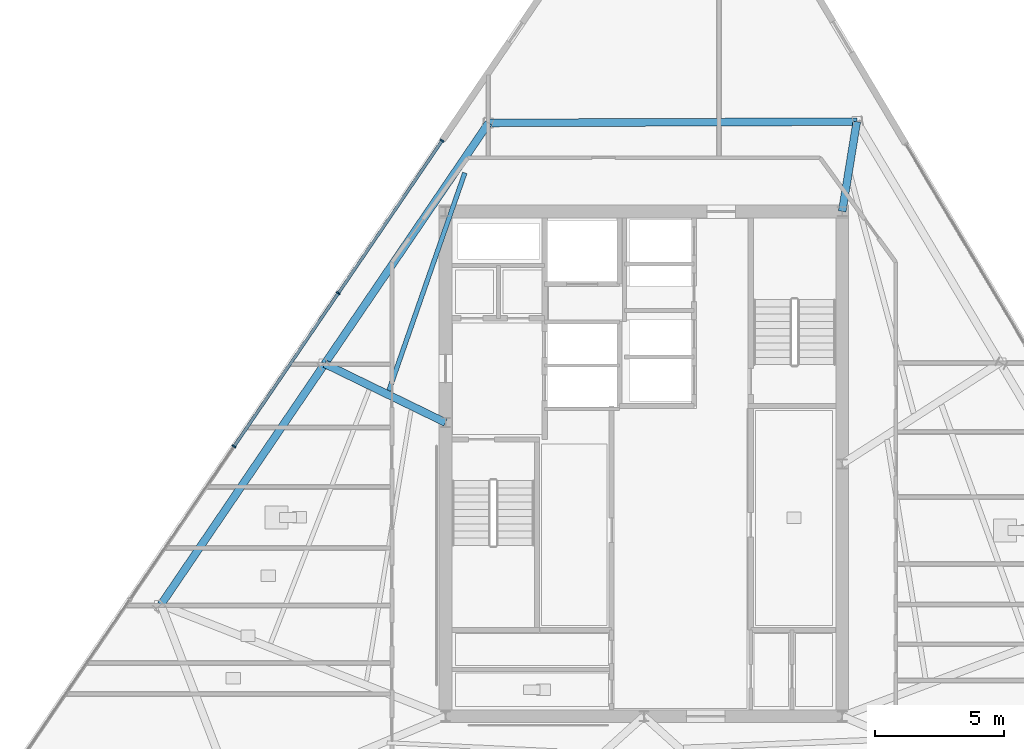
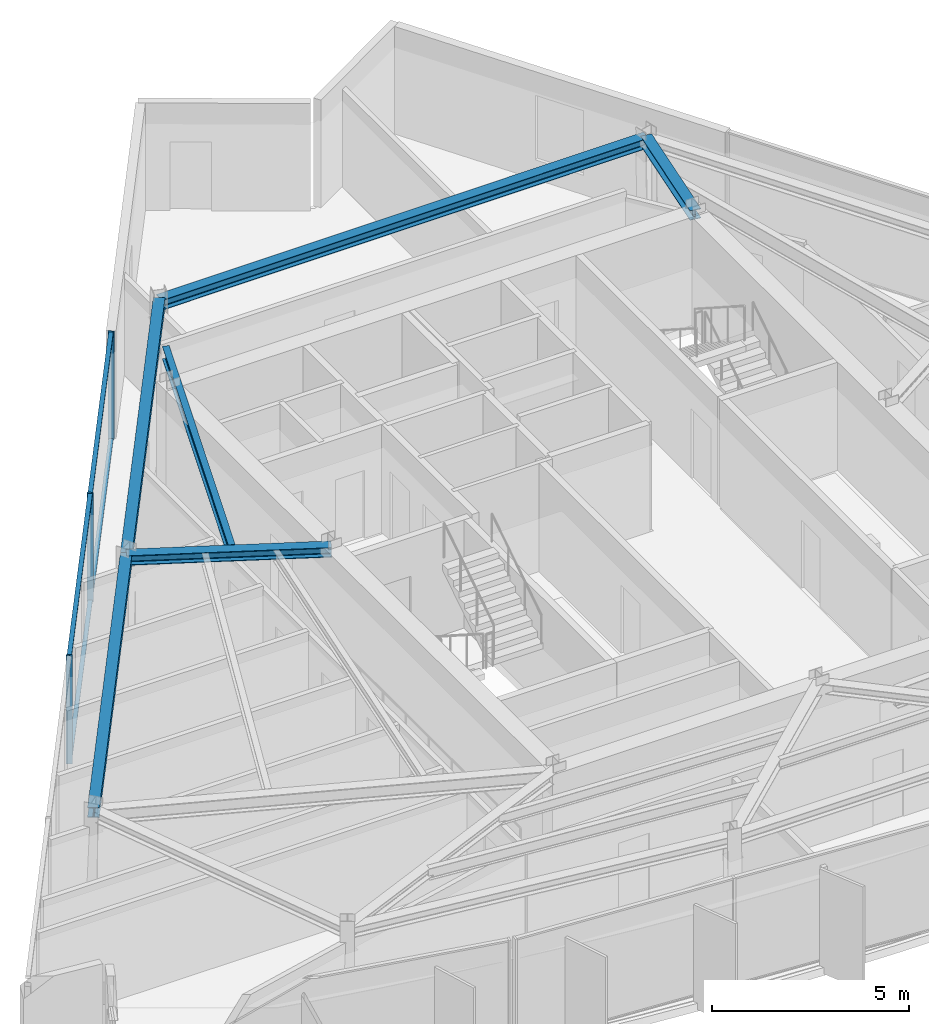
# One storey, part 4 of 13: 7 members, 6 beams, 1 element without a shape of its own.
"""IFC4 building model written with IfcOpenShell, lengths in metres."""

from ifc_helpers import new_model, si_unit, direction, frame, origin, origin_2d, place, context, subcontext, project, spatial, rectangle, i_section, extrude, material, material_profile, profile_set, type_object, element, aggregate, save


model = new_model("IFC4")

# Units and contexts
model_context = context("Model", 3, precision=1e-05, world=origin(), true_north=direction((0.0, 1.0)))
body_context = subcontext(model_context, "Body", "Model", "MODEL_VIEW")
ifc_project = project(units=[si_unit("LENGTHUNIT", "METRE"), si_unit("AREAUNIT", "SQUARE_METRE"), si_unit("VOLUMEUNIT", "CUBIC_METRE"), si_unit("PLANEANGLEUNIT", "RADIAN"), si_unit("MASSUNIT", "GRAM", prefix="KILO")], contexts=[model_context])

# Site, building, storey
site_placement = place(None, origin())
site = spatial("IfcSite", under=ifc_project, at=site_placement, CompositionType="ELEMENT")
building_placement = place(site_placement, origin())
building = spatial("IfcBuilding", under=site, at=building_placement, Name="Savorim Split Tower", CompositionType="ELEMENT")
storey_placement = place(building_placement, frame((0.0, 0.0, 254.39990234375)))
storey = spatial("IfcBuildingStorey", under=building, at=storey_placement, Name="L67", CompositionType="ELEMENT", Elevation=254.39990234375)

# Beams
ifc_material_1 = material(Name="Steel S355", Category="steel")
ifc_material_profile_1 = material_profile(ifc_material_1, i_section(OverallWidth=0.179931640625, OverallDepth=0.39990234375, WebThickness=0.008544921875, FlangeThickness=0.013427734375, FilletRadius=0.02099609375, at=origin_2d()), Name="IPE 400")
ifc_profile_set_1 = profile_set([ifc_material_profile_1], Name="Steel S355")
beam_type_1 = type_object("IfcBeamType", Name="BM-JST-IPE400", PredefinedType="JOIST", material=ifc_profile_set_1)
beam_1_placement = place(storey_placement, frame((-6.94970703125, 11.697021484375, 3.150146484375), z_axis=(-0.329381771472, -0.944196827267, 0.0), x_axis=(0.944196827267, -0.329381771472, 0.0)))
element("IfcBeam", 1, at=beam_1_placement, inside=storey, type_object=beam_type_1, Name="L67 Secondary Floor Joist JS-09", PredefinedType="JOIST", context=body_context, shape_type="SweptSolid", body=[
    extrude(i_section(OverallWidth=0.179931640625, OverallDepth=0.39990234375, WebThickness=0.008544921875, FlangeThickness=0.013427734375, FilletRadius=0.02099609375, at=origin_2d()), origin(), (0.0, 0.0, 1.0), 8.949462890625),
])
ifc_material_profile_2 = material_profile(ifc_material_1, i_section(OverallWidth=0.300048828125, OverallDepth=0.300048828125, WebThickness=0.010986328125, FlangeThickness=0.01904296875, FilletRadius=0.027099609375, at=origin_2d()), Name="HEB 300")
ifc_profile_set_2 = profile_set([ifc_material_profile_2], Name="Steel S355")
beam_type_2 = type_object("IfcBeamType", Name="BM-PRI-HEB300", PredefinedType="BEAM", material=ifc_profile_set_2)
beam_2_placement = place(storey_placement, frame((8.265380859375, 13.6826171875, 3.2001953125), z_axis=(-0.160257023486, -0.987075319529, 0.0), x_axis=(0.987075319529, -0.160257023486, 0.0)))
element("IfcBeam", 2, at=beam_2_placement, inside=storey, type_object=beam_type_2, Name="L67 Primary Floor Girder RG-07", PredefinedType="BEAM", context=body_context, shape_type="SweptSolid", body=[
    extrude(i_section(OverallWidth=0.300048828125, OverallDepth=0.300048828125, WebThickness=0.010986328125, FlangeThickness=0.01904296875, FilletRadius=0.027099609375, at=origin_2d()), origin(), (0.0, 0.0, 1.0), 3.5283203125),
])
beam_3_placement = place(storey_placement, frame((-12.387939453125, 4.283447265625, 3.2001953125), z_axis=(0.899023425806, -0.437900536484, 0.0), x_axis=(0.437900536484, 0.899023425806, 0.0)))
element("IfcBeam", 3, at=beam_3_placement, inside=storey, type_object=beam_type_2, Name="L67 Primary Floor Girder RG-09", PredefinedType="BEAM", context=body_context, shape_type="SweptSolid", body=[
    extrude(i_section(OverallWidth=0.300048828125, OverallDepth=0.300048828125, WebThickness=0.010986328125, FlangeThickness=0.01904296875, FilletRadius=0.027099609375, at=origin_2d()), origin(), (0.0, 0.0, 1.0), 5.214599609375),
])
ifc_material_profile_3 = material_profile(ifc_material_1, i_section(OverallWidth=0.300048828125, OverallDepth=0.31005859375, WebThickness=0.009033203125, FlangeThickness=0.015380859375, FilletRadius=0.027099609375, at=origin_2d()), Name="HEA 320")
ifc_profile_set_3 = profile_set([ifc_material_profile_3], Name="Steel S355")
beam_type_3 = type_object("IfcBeamType", Name="BM-SPN-HEA320", PredefinedType="SPANDREL", material=ifc_profile_set_3)
beam_4_placement = place(storey_placement, frame((8.265380859375, 13.6826171875, 3.195068359375), z_axis=(-0.999994164325, -0.003416330718, 0.0), x_axis=(0.003416330718, -0.999994164325, 0.0)))
element("IfcBeam", 4, at=beam_4_placement, inside=storey, type_object=beam_type_3, Name="L67 Perimeter Spandrel Beam 7", PredefinedType="SPANDREL", context=body_context, shape_type="SweptSolid", body=[
    extrude(i_section(OverallWidth=0.300048828125, OverallDepth=0.31005859375, WebThickness=0.009033203125, FlangeThickness=0.015380859375, FilletRadius=0.027099609375, at=origin_2d()), origin(), (0.0, 0.0, 1.0), 14.29248046875),
])
beam_5_placement = place(storey_placement, frame((-6.027099609375, 13.6337890625, 3.195068359375), z_axis=(-0.562467673623, -0.826819276583, 0.0), x_axis=(0.826819276583, -0.562467673623, 0.0)))
element("IfcBeam", 5, at=beam_5_placement, inside=storey, type_object=beam_type_3, Name="L67 Perimeter Spandrel Beam 8", PredefinedType="SPANDREL", context=body_context, shape_type="SweptSolid", body=[
    extrude(i_section(OverallWidth=0.300048828125, OverallDepth=0.31005859375, WebThickness=0.009033203125, FlangeThickness=0.015380859375, FilletRadius=0.027099609375, at=origin_2d()), origin(), (0.0, 0.0, 1.0), 11.308837890625),
])
beam_6_placement = place(storey_placement, frame((-12.387939453125, 4.283447265625, 3.195068359375), z_axis=(-0.5624723921, -0.826816066683, 0.0), x_axis=(0.826816066683, -0.5624723921, 0.0)))
element("IfcBeam", 6, at=beam_6_placement, inside=storey, type_object=beam_type_3, Name="L67 Perimeter Spandrel Beam 9", PredefinedType="SPANDREL", context=body_context, shape_type="SweptSolid", body=[
    extrude(i_section(OverallWidth=0.300048828125, OverallDepth=0.31005859375, WebThickness=0.009033203125, FlangeThickness=0.015380859375, FilletRadius=0.027099609375, at=origin_2d()), origin(), (0.0, 0.0, 1.0), 11.30908203125),
])

# Curtain wall, members
ifc_material_2 = material(Name="Dark Ceramic-Fritted Insulated Glass", Category="glass")
curtain_wall_type = type_object("IfcCurtainWallType", Name="CW-TWR-FRIT-B", PredefinedType="NOTDEFINED", material=ifc_material_2)
curtain_wall_placement = place(storey_placement, origin())
curtain_wall = element("IfcCurtainWall", 7, at=curtain_wall_placement, inside=storey, type_object=curtain_wall_type, Name="L67 Curtain Wall CW-L67-WEST", PredefinedType="NOTDEFINED")
ifc_material_3 = material(Name="Charcoal Anodised Aluminium", Category="aluminium")
ifc_material_profile_4 = material_profile(ifc_material_3, rectangle(XDim=0.159912109375, YDim=0.06005859375, at=origin_2d()), Name="ALU-M 160x60")
ifc_profile_set_4 = profile_set([ifc_material_profile_4], Name="Charcoal Anodised Aluminium")
member_type_1 = type_object("IfcMemberType", Name="CWM-160x60", PredefinedType="MULLION", material=ifc_profile_set_4)
member_1_placement = place(storey_placement, frame((-7.833740234375, 12.946044921875, 0.0), z_axis=(0.0, 0.0, 1.0), x_axis=(0.826817472755, -0.562470325215, 0.0)))
member_1 = element("IfcMember", 8, at=member_1_placement, type_object=member_type_1, Name="CW-03 mullion 1", PredefinedType="MULLION", context=body_context, shape_type="SweptSolid", body=[
    extrude(rectangle(XDim=0.159912109375, YDim=0.06005859375, at=origin_2d()), origin(), (0.0, 0.0, 1.0), 3.35009765625),
])
member_2_placement = place(storey_placement, frame((-11.86181640625, 7.02490234375, 0.0), z_axis=(0.0, 0.0, 1.0), x_axis=(0.826817472755, -0.562470325215, 0.0)))
member_2 = element("IfcMember", 9, at=member_2_placement, type_object=member_type_1, Name="CW-03 mullion 2", PredefinedType="MULLION", context=body_context, shape_type="SweptSolid", body=[
    extrude(rectangle(XDim=0.159912109375, YDim=0.06005859375, at=origin_2d()), origin(), (0.0, 0.0, 1.0), 3.35009765625),
])
member_3_placement = place(storey_placement, frame((-15.906982421875, 1.078857421875, 0.0), z_axis=(0.0, 0.0, 1.0), x_axis=(0.826817472755, -0.562470325215, 0.0)))
member_3 = element("IfcMember", 10, at=member_3_placement, type_object=member_type_1, Name="CW-03 mullion 3", PredefinedType="MULLION", context=body_context, shape_type="SweptSolid", body=[
    extrude(rectangle(XDim=0.159912109375, YDim=0.06005859375, at=origin_2d()), origin(), (0.0, 0.0, 1.0), 3.35009765625),
])
ifc_material_profile_5 = material_profile(ifc_material_3, rectangle(XDim=0.1201171875, YDim=0.050048828125, at=origin_2d()), Name="ALU-T 120x50")
ifc_profile_set_5 = profile_set([ifc_material_profile_5], Name="Charcoal Anodised Aluminium")
member_type_2 = type_object("IfcMemberType", Name="CWT-120x50", PredefinedType="USERDEFINED", material=ifc_profile_set_5)
member_4_placement = place(storey_placement, frame((-7.8505859375, 12.92138671875, 0.025146484375), z_axis=(-0.562458582496, -0.826825461011, 0.0), x_axis=(0.826825461011, -0.562458582496, 0.0)))
member_4 = element("IfcMember", 11, at=member_4_placement, type_object=member_type_2, Name="CW-03 transom 1.1", ObjectType="TRANSOM", PredefinedType="USERDEFINED", context=body_context, shape_type="SweptSolid", body=[
    extrude(rectangle(XDim=0.1201171875, YDim=0.050048828125, at=origin_2d()), origin(), (0.0, 0.0, 1.0), 7.1015625),
])
member_5_placement = place(storey_placement, frame((-7.8505859375, 12.92138671875, 3.3251953125), z_axis=(-0.562458582496, -0.826825461011, 0.0), x_axis=(0.826825461011, -0.562458582496, 0.0)))
member_5 = element("IfcMember", 12, at=member_5_placement, type_object=member_type_2, Name="CW-03 transom 1.2", ObjectType="TRANSOM", PredefinedType="USERDEFINED", context=body_context, shape_type="SweptSolid", body=[
    extrude(rectangle(XDim=0.1201171875, YDim=0.050048828125, at=origin_2d()), origin(), (0.0, 0.0, 1.0), 7.1015625),
])
member_6_placement = place(storey_placement, frame((-11.878662109375, 7.0, 0.025146484375), z_axis=(-0.56248885338, -0.826804868045, 0.0), x_axis=(0.826804868045, -0.56248885338, 0.0)))
member_6 = element("IfcMember", 13, at=member_6_placement, type_object=member_type_2, Name="CW-03 transom 2.1", ObjectType="TRANSOM", PredefinedType="USERDEFINED", context=body_context, shape_type="SweptSolid", body=[
    extrude(rectangle(XDim=0.1201171875, YDim=0.050048828125, at=origin_2d()), origin(), (0.0, 0.0, 1.0), 7.131591796875),
])
member_7_placement = place(storey_placement, frame((-11.878662109375, 7.0, 3.3251953125), z_axis=(-0.56248885338, -0.826804868045, 0.0), x_axis=(0.826804868045, -0.56248885338, 0.0)))
member_7 = element("IfcMember", 14, at=member_7_placement, type_object=member_type_2, Name="CW-03 transom 2.2", ObjectType="TRANSOM", PredefinedType="USERDEFINED", context=body_context, shape_type="SweptSolid", body=[
    extrude(rectangle(XDim=0.1201171875, YDim=0.050048828125, at=origin_2d()), origin(), (0.0, 0.0, 1.0), 7.131591796875),
])
aggregate(curtain_wall, [member_1, member_2, member_3, member_4, member_5, member_6, member_7])

save(model, "model.ifc")
